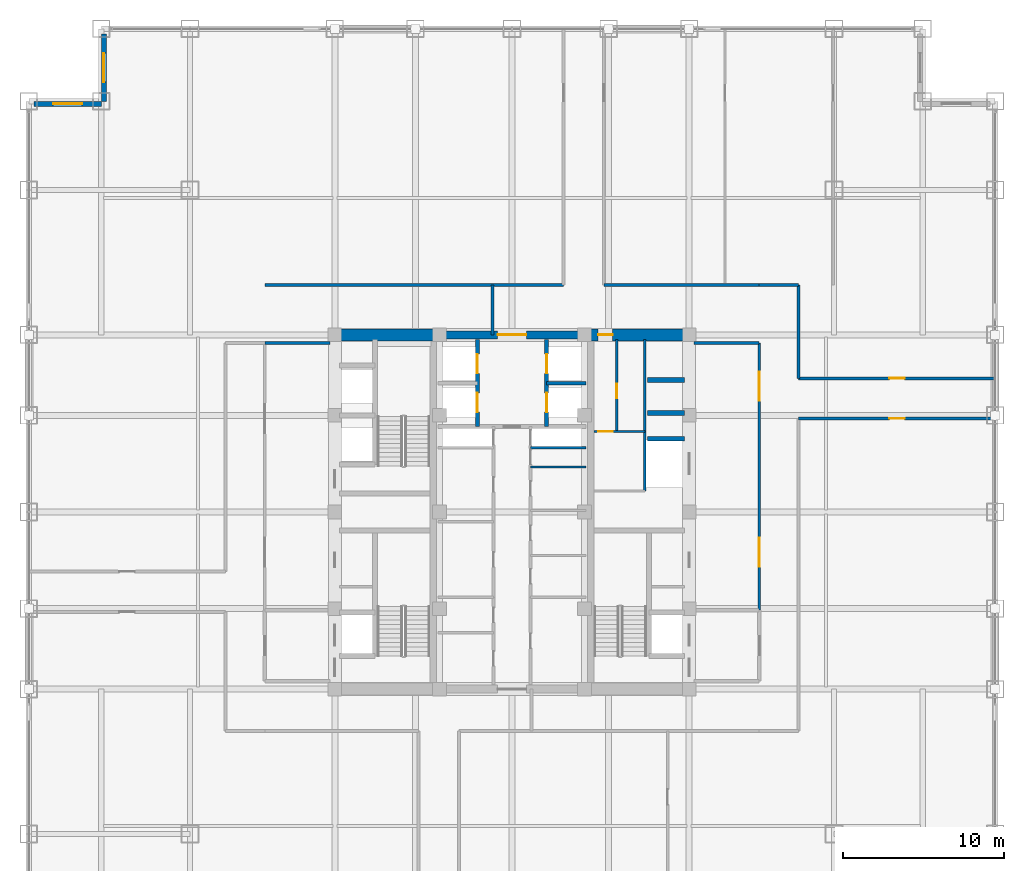
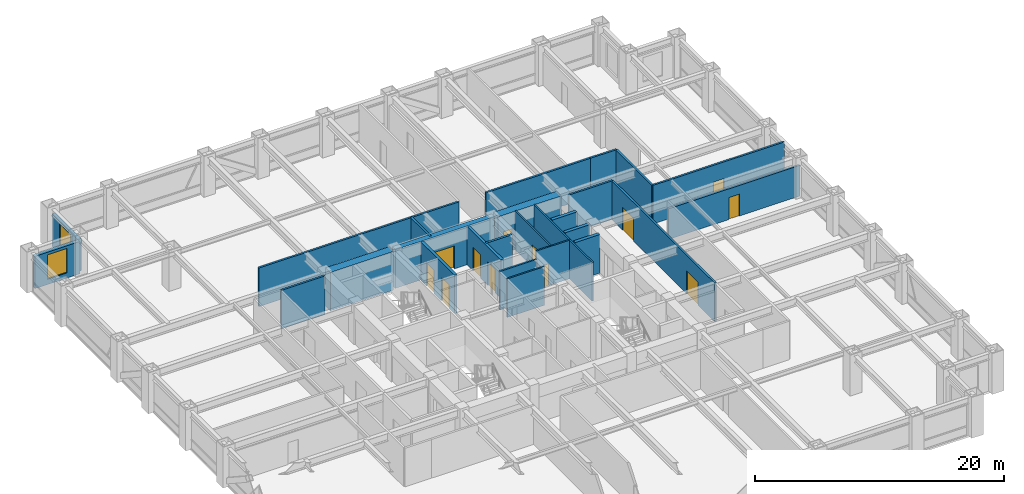
# One storey, part 22 of 24: 26 walls, 12 doors, 2 windows, 14 openings.
"""IFC4 building model written with IfcOpenShell, lengths in metres."""

from ifc_helpers import new_model, si_unit, direction, frame, frame_2d, origin, place, context, subcontext, project, spatial, rectangle, extrude, source, transform, mapped, material, layer, layer_set, type_object, element, fill, save


model = new_model("IFC4")

# Units and contexts
model_context = context("Model", 3, precision=1e-05, world=origin(), true_north=direction((0.0, 1.0)))
body_context = subcontext(model_context, "Body", "Model", "MODEL_VIEW")
ifc_project = project(units=[si_unit("LENGTHUNIT", "METRE"), si_unit("AREAUNIT", "SQUARE_METRE"), si_unit("VOLUMEUNIT", "CUBIC_METRE"), si_unit("PLANEANGLEUNIT", "RADIAN"), si_unit("MASSUNIT", "GRAM", prefix="KILO")], contexts=[model_context])

# Site, building, storey
site_placement = place(None, origin())
site = spatial("IfcSite", under=ifc_project, at=site_placement, CompositionType="ELEMENT")
building_placement = place(site_placement, origin())
building = spatial("IfcBuilding", under=site, at=building_placement, Name="Khorayat Bourse Tower", CompositionType="ELEMENT")
storey_placement = place(building_placement, frame((0.0, 0.0, 163.10009765625)))
storey = spatial("IfcBuildingStorey", under=building, at=storey_placement, Name="L37", CompositionType="ELEMENT", Elevation=163.10009765625)

# Wall
ifc_material_1 = material(Name="Concrete C72/90", Category="concrete")
ifc_layer_1 = layer(ifc_material_1, 0.75)
ifc_layer_set_1 = layer_set([ifc_layer_1], Name="Concrete C72/90")
wall_type_1 = type_object("IfcWallType", Name="WAL-CORE-750", PredefinedType="SHEAR", material=ifc_layer_set_1)
shared_shape_1 = source(origin(), body_context, "Body", "SweptSolid", [
    extrude(rectangle(XDim=5.849853515625, YDim=0.75, at=frame_2d((2.9248046875, 0.0))), origin(), (0.0, 0.0, 1.0), 3.77978515625),
])
wall_1_placement = place(storey_placement, frame((-10.699951171875, 11.0, 0.0), z_axis=(0.0, 0.0, 1.0), x_axis=(1.0, 0.0, 0.0)))
element("IfcWall", 1, at=wall_1_placement, inside=storey, type_object=wall_type_1, Name="L37 Core Shear Wall PIER-WN", PredefinedType="SHEAR", context=body_context, shape_type="MappedRepresentation", body=[
    mapped(shared_shape_1, transform((0.0, 0.0, 0.0), scale=1.0)),
])

# Wall, opening, door
wall_2_placement = place(storey_placement, frame((4.85009765625, 11.0, 0.0), z_axis=(0.0, 0.0, 1.0), x_axis=(1.0, 0.0, 0.0)))
wall_2 = element("IfcWall", 2, at=wall_2_placement, inside=storey, type_object=wall_type_1, Name="L37 Core Shear Wall PIER-EN", PredefinedType="SHEAR", context=body_context, shape_type="MappedRepresentation", body=[
    mapped(shared_shape_1, transform((0.0, 0.0, 0.0), scale=1.0)),
])
shared_shape_2 = source(origin(), body_context, "Body", "SweptSolid", [
    extrude(rectangle(XDim=0.89990234375, YDim=2.14990234375, at=frame_2d((0.449951171875, 1.074951171875))), frame((0.0, 0.385009765625, 0.0), z_axis=(0.0, -1.0, 0.0), x_axis=(1.0, 0.0, 0.0)), (0.0, 0.0, 1.0), 0.77001953125),
])
opening_1_placement = place(wall_2_placement, frame((0.5, 0.0, 0.0)))
opening_1 = element("IfcOpeningElement", 3, at=opening_1_placement, cuts=wall_2, Name="Opening DI-06", PredefinedType="OPENING", context=body_context, shape_type="MappedRepresentation", body=[
    mapped(shared_shape_2, transform((0.0, 0.0, 0.0), scale=1.0)),
])
ifc_material_2 = material(Name="Moisture-resistant laminate washroom door")
door_type_1 = type_object("IfcDoorType", Name="DR-INT-WC-900", OperationType="NOTDEFINED", PredefinedType="DOOR", material=ifc_material_2)
shared_shape_3 = source(origin(), body_context, "Body", "SweptSolid", [
    extrude(rectangle(XDim=0.89990234375, YDim=2.14990234375, at=frame_2d((0.449951171875, 1.074951171875))), frame((0.0, 0.02490234375, 0.0), z_axis=(0.0, -1.0, 0.0), x_axis=(1.0, 0.0, 0.0)), (0.0, 0.0, 1.0), 0.050048828125),
])
door_1_placement = place(opening_1_placement, origin())
door_1 = element("IfcDoor", 4, at=door_1_placement, inside=storey, type_object=door_type_1, Name="L37 Core Washroom Lobby Door", OperationType="SINGLE_SWING_LEFT", OverallHeight=2.14990234375, OverallWidth=0.89990234375, PredefinedType="DOOR", context=body_context, shape_type="MappedRepresentation", body=[
    mapped(shared_shape_3, transform((0.0, 0.0, 0.0), scale=1.0)),
])
fill(opening_1, door_1)

ifc_material_3 = material(Name="Concrete C52/65", Category="concrete")
ifc_layer_2 = layer(ifc_material_3, 0.5)
ifc_layer_set_2 = layer_set([ifc_layer_2], Name="Concrete C52/65")
wall_type_2 = type_object("IfcWallType", Name="WAL-CORE-500", PredefinedType="SHEAR", material=ifc_layer_set_2)
shared_shape_4 = source(origin(), body_context, "Body", "SweptSolid", [
    extrude(rectangle(XDim=9.2001953125, YDim=0.5, at=frame_2d((4.60009765625, 0.0))), origin(), (0.0, 0.0, 1.0), 3.77978515625),
])
wall_3_placement = place(storey_placement, frame((-4.60009765625, 11.0, 0.0), z_axis=(0.0, 0.0, 1.0), x_axis=(1.0, 0.0, 0.0)))
wall_3 = element("IfcWall", 5, at=wall_3_placement, inside=storey, type_object=wall_type_2, Name="L37 Core Shear Wall CORE-N", PredefinedType="SHEAR", context=body_context, shape_type="MappedRepresentation", body=[
    mapped(shared_shape_4, transform((0.0, 0.0, 0.0), scale=1.0)),
])
shared_shape_5 = source(origin(), body_context, "Body", "SweptSolid", [
    extrude(rectangle(XDim=1.800048828125, YDim=2.25, at=frame_2d((0.89990234375, 1.125))), frame((0.0, 0.260009765625, 0.0), z_axis=(0.0, -1.0, 0.0), x_axis=(1.0, 0.0, 0.0)), (0.0, 0.0, 1.0), 0.52001953125),
])
opening_2_placement = place(wall_3_placement, frame((3.699951171875, 0.0, 0.0)))
opening_2 = element("IfcOpeningElement", 6, at=opening_2_placement, cuts=wall_3, Name="Opening DI-03", PredefinedType="OPENING", context=body_context, shape_type="MappedRepresentation", body=[
    mapped(shared_shape_5, transform((0.0, 0.0, 0.0), scale=1.0)),
])
ifc_material_4 = material(Name="Fire-rated hardwood vision-panel double leaf", Category="wood")
door_type_2 = type_object("IfcDoorType", Name="DR-INT-CORR-1800", OperationType="NOTDEFINED", PredefinedType="DOOR", material=ifc_material_4)
shared_shape_6 = source(origin(), body_context, "Body", "SweptSolid", [
    extrude(rectangle(XDim=1.800048828125, YDim=2.25, at=frame_2d((0.89990234375, 1.125))), frame((0.0, 0.02490234375, 0.0), z_axis=(0.0, -1.0, 0.0), x_axis=(1.0, 0.0, 0.0)), (0.0, 0.0, 1.0), 0.050048828125),
])
door_2_placement = place(opening_2_placement, origin())
door_2 = element("IfcDoor", 7, at=door_2_placement, inside=storey, type_object=door_type_2, Name="L37 Mid-Rise Lift Lobby Door", OperationType="SINGLE_SWING_RIGHT", OverallHeight=2.25, OverallWidth=1.800048828125, PredefinedType="DOOR", context=body_context, shape_type="MappedRepresentation", body=[
    mapped(shared_shape_6, transform((0.0, 0.0, 0.0), scale=1.0)),
])
fill(opening_2, door_2)

# Wall, opening, window
ifc_material_5 = material(Name="Precast concrete C45/55", Category="concrete")
ifc_layer_3 = layer(ifc_material_5, 0.320068359375)
ifc_layer_set_3 = layer_set([ifc_layer_3], Name="Precast concrete C45/55")
wall_type_3 = type_object("IfcWallType", Name="WAL-EXT-STONE-320", PredefinedType="STANDARD", material=ifc_layer_set_3)
shared_shape_7 = source(origin(), body_context, "Body", "SweptSolid", [
    extrude(rectangle(XDim=4.179931640625, YDim=0.320068359375, at=frame_2d((2.08984375, 0.0))), origin(), (0.0, 0.0, 1.0), 3.163818359375),
])
wall_4_placement = place(storey_placement, frame((-25.340087890625, 25.5, 0.0), z_axis=(0.0, 0.0, 1.0), x_axis=(0.0, 1.0, 0.0)))
wall_4 = element("IfcWall", 8, at=wall_4_placement, inside=storey, type_object=wall_type_3, Name="L37 Re-Entrant Notch Limestone Wall NW-V", PredefinedType="STANDARD", context=body_context, shape_type="MappedRepresentation", body=[
    mapped(shared_shape_7, transform((0.0, 0.0, 0.0), scale=1.0)),
])
shared_shape_8 = source(origin(), body_context, "Body", "SweptSolid", [
    extrude(rectangle(XDim=1.800048828125, YDim=2.39990234375, at=frame_2d((0.89990234375, 1.199951171875))), frame((0.0, 0.169921875, 0.0), z_axis=(0.0, -1.0, 0.0), x_axis=(1.0, 0.0, 0.0)), (0.0, 0.0, 1.0), 0.340087890625),
])
opening_3_placement = place(wall_4_placement, frame((1.18994140625, 0.0, 0.5)))
opening_3 = element("IfcOpeningElement", 9, at=opening_3_placement, cuts=wall_4, Name="Opening WN-04", PredefinedType="OPENING", context=body_context, shape_type="MappedRepresentation", body=[
    mapped(shared_shape_8, transform((0.0, 0.0, 0.0), scale=1.0)),
])
ifc_material_6 = material(Name="Low-E acoustic laminated double glazing", Category="glass")
window_type = type_object("IfcWindowType", Name="WIN-NOTCH-1800x2400", PartitioningType="SINGLE_PANEL", PredefinedType="WINDOW", material=ifc_material_6)
shared_shape_9 = source(origin(), body_context, "Body", "SweptSolid", [
    extrude(rectangle(XDim=1.800048828125, YDim=2.39990234375, at=frame_2d((0.89990234375, 1.199951171875))), frame((0.0, 0.030029296875, 0.0), z_axis=(0.0, -1.0, 0.0), x_axis=(1.0, 0.0, 0.0)), (0.0, 0.0, 1.0), 0.06005859375),
])
window_1_placement = place(opening_3_placement, origin())
window_1 = element("IfcWindow", 10, at=window_1_placement, inside=storey, type_object=window_type, Name="L37 Facade Window 1", OverallHeight=2.39990234375, OverallWidth=1.800048828125, PartitioningType="SINGLE_PANEL", PredefinedType="WINDOW", context=body_context, shape_type="MappedRepresentation", body=[
    mapped(shared_shape_9, transform((0.0, 0.0, 0.0), scale=1.0)),
])
fill(opening_3, window_1)

wall_5_placement = place(storey_placement, frame((-25.5, 25.340087890625, 0.0), z_axis=(0.0, 0.0, 1.0), x_axis=(-1.0, 0.0, 0.0)))
wall_5 = element("IfcWall", 11, at=wall_5_placement, inside=storey, type_object=wall_type_3, Name="L37 Re-Entrant Notch Limestone Wall NW-H", PredefinedType="STANDARD", context=body_context, shape_type="MappedRepresentation", body=[
    mapped(shared_shape_7, transform((0.0, 0.0, 0.0), scale=1.0)),
])
opening_4_placement = place(wall_5_placement, frame((1.18994140625, 0.0, 0.5)))
opening_4 = element("IfcOpeningElement", 12, at=opening_4_placement, cuts=wall_5, Name="Opening WN-04", PredefinedType="OPENING", context=body_context, shape_type="MappedRepresentation", body=[
    mapped(shared_shape_8, transform((0.0, 0.0, 0.0), scale=1.0)),
])
window_2_placement = place(opening_4_placement, origin())
window_2 = element("IfcWindow", 13, at=window_2_placement, inside=storey, type_object=window_type, Name="L37 Facade Window 1", OverallHeight=2.39990234375, OverallWidth=1.800048828125, PartitioningType="SINGLE_PANEL", PredefinedType="WINDOW", context=body_context, shape_type="MappedRepresentation", body=[
    mapped(shared_shape_9, transform((0.0, 0.0, 0.0), scale=1.0)),
])
fill(opening_4, window_2)

# Walls
ifc_material_7 = material(Name="Concrete C50/60", Category="concrete")
ifc_layer_4 = layer(ifc_material_7, 0.300048828125)
ifc_layer_set_4 = layer_set([ifc_layer_4], Name="Concrete C50/60")
wall_type_4 = type_object("IfcWallType", Name="WAL-SHAFT-300", PredefinedType="SHEAR", material=ifc_layer_set_4)
shared_shape_10 = source(origin(), body_context, "Body", "SweptSolid", [
    extrude(rectangle(XDim=2.300048828125, YDim=0.300048828125, at=frame_2d((1.14990234375, 0.0))), origin(), (0.0, 0.0, 1.0), 3.77978515625),
])
for number, where, z_axis, x_axis, name in (
    (14, (8.39990234375, 4.550048828125, 0.0), (0.0, 0.0, 1.0), (1.0, 0.0, 0.0), "L37 Partition WAL-L37-EPIER-SVLN"),
    (15, (8.39990234375, 6.14990234375, 0.0), (0.0, 0.0, 1.0), (1.0, 0.0, 0.0), "L37 Partition WAL-L37-EPIER-H3S"),
    (16, (8.39990234375, 8.199951171875, 0.0), (0.0, 0.0, 1.0), (1.0, 0.0, 0.0), "L37 Partition WAL-L37-EPIER-H34"),
):
    element("IfcWall", number, at=place(storey_placement, frame(where, z_axis=z_axis, x_axis=x_axis)), inside=storey, type_object=wall_type_4, Name=name, PredefinedType="SHEAR", context=body_context, shape_type="MappedRepresentation", body=[
        mapped(shared_shape_10, transform((0.0, 0.0, 0.0), scale=1.0)),
    ])
ifc_material_8 = material(Name="Moisture-resistant masonry partition", Category="masonry")
ifc_layer_5 = layer(ifc_material_8, 0.139892578125)
ifc_layer_set_5 = layer_set([ifc_layer_5], Name="Moisture-resistant masonry partition")
wall_type_5 = type_object("IfcWallType", Name="WAL-PART-WET-140", PredefinedType="PARTITIONING", material=ifc_layer_set_5)
shared_shape_11 = source(origin(), body_context, "Body", "SweptSolid", [
    extrude(rectangle(XDim=9.39990234375, YDim=0.139892578125, at=frame_2d((4.699951171875, 0.0))), origin(), (0.0, 0.0, 1.0), 3.77978515625),
])
wall_6_placement = place(storey_placement, frame((8.25, 1.300048828125, 0.0), z_axis=(0.0, 0.0, 1.0), x_axis=(0.0, 1.0, 0.0)))
element("IfcWall", 17, at=wall_6_placement, inside=storey, type_object=wall_type_5, Name="L37 Partition WAL-L37-ECORE-E", PredefinedType="PARTITIONING", context=body_context, shape_type="MappedRepresentation", body=[
    mapped(shared_shape_11, transform((0.0, 0.0, 0.0), scale=1.0)),
])

# Wall, opening, door
shared_shape_12 = source(origin(), body_context, "Body", "SweptSolid", [
    extrude(rectangle(XDim=3.14990234375, YDim=0.139892578125, at=frame_2d((1.574951171875, 0.0))), origin(), (0.0, 0.0, 1.0), 3.77978515625),
])
wall_7_placement = place(storey_placement, frame((5.10009765625, 5.0, 0.0), z_axis=(0.0, 0.0, 1.0), x_axis=(1.0, 0.0, 0.0)))
wall_7 = element("IfcWall", 18, at=wall_7_placement, inside=storey, type_object=wall_type_5, Name="L37 Partition WAL-L37-ECW-BOT", PredefinedType="PARTITIONING", context=body_context, shape_type="MappedRepresentation", body=[
    mapped(shared_shape_12, transform((0.0, 0.0, 0.0), scale=1.0)),
])
shared_shape_13 = source(origin(), body_context, "Body", "SweptSolid", [
    extrude(rectangle(XDim=0.89990234375, YDim=2.14990234375, at=frame_2d((0.449951171875, 1.074951171875))), frame((0.0, 0.079833984375, 0.0), z_axis=(0.0, -1.0, 0.0), x_axis=(1.0, 0.0, 0.0)), (0.0, 0.0, 1.0), 0.159912109375),
])
opening_5_placement = place(wall_7_placement, frame((0.25, 0.0, 0.0)))
opening_5 = element("IfcOpeningElement", 19, at=opening_5_placement, cuts=wall_7, Name="Opening DI-06", PredefinedType="OPENING", context=body_context, shape_type="MappedRepresentation", body=[
    mapped(shared_shape_13, transform((0.0, 0.0, 0.0), scale=1.0)),
])
door_3_placement = place(opening_5_placement, origin())
door_3 = element("IfcDoor", 20, at=door_3_placement, inside=storey, type_object=door_type_1, Name="L37 Shared Washroom Door", OperationType="SINGLE_SWING_LEFT", OverallHeight=2.14990234375, OverallWidth=0.89990234375, PredefinedType="DOOR", context=body_context, shape_type="MappedRepresentation", body=[
    mapped(shared_shape_3, transform((0.0, 0.0, 0.0), scale=1.0)),
])
fill(opening_5, door_3)

# Walls
ifc_material_9 = material(Name="Gypsum plasterboard acoustic stud wall")
ifc_layer_6 = layer(ifc_material_9, 0.179931640625)
ifc_layer_set_6 = layer_set([ifc_layer_6], Name="Gypsum plasterboard acoustic stud wall")
wall_type_6 = type_object("IfcWallType", Name="WAL-PART-CORR-180", PredefinedType="PARTITIONING", material=ifc_layer_set_6)
shared_shape_14 = source(origin(), body_context, "Body", "SweptSolid", [
    extrude(rectangle(XDim=4.050048828125, YDim=0.179931640625, at=frame_2d((2.02490234375, 0.0))), origin(), (0.0, 0.0, 1.0), 3.77978515625),
])
for number, where, z_axis, x_axis, name in (
    (21, (-15.35009765625, 10.5, 0.0), (0.0, 0.0, 1.0), (1.0, 0.0, 0.0), "L37 Partition WAL-L37-WLOB-N"),
    (22, (11.300048828125, 10.5, 0.0), (0.0, 0.0, 1.0), (1.0, 0.0, 0.0), "L37 Partition WAL-L37-ELOB-N"),
):
    element("IfcWall", number, at=place(storey_placement, frame(where, z_axis=z_axis, x_axis=x_axis)), inside=storey, type_object=wall_type_6, Name=name, PredefinedType="PARTITIONING", context=body_context, shape_type="MappedRepresentation", body=[
        mapped(shared_shape_14, transform((0.0, 0.0, 0.0), scale=1.0)),
    ])

# Wall, openings, doors
shared_shape_15 = source(origin(), body_context, "Body", "SweptSolid", [
    extrude(rectangle(XDim=16.60009765625, YDim=0.179931640625, at=frame_2d((8.300048828125, 0.0))), origin(), (0.0, 0.0, 1.0), 3.77978515625),
])
wall_8_placement = place(storey_placement, frame((15.35009765625, -6.10009765625, 0.0), z_axis=(0.0, 0.0, 1.0), x_axis=(0.0, 1.0, 0.0)))
wall_8 = element("IfcWall", 23, at=wall_8_placement, inside=storey, type_object=wall_type_6, Name="L37 Partition WAL-L37-ELOB-E", PredefinedType="PARTITIONING", context=body_context, shape_type="MappedRepresentation", body=[
    mapped(shared_shape_15, transform((0.0, 0.0, 0.0), scale=1.0)),
])
shared_shape_16 = source(origin(), body_context, "Body", "SweptSolid", [
    extrude(rectangle(XDim=1.800048828125, YDim=2.25, at=frame_2d((0.89990234375, 1.125))), frame((0.0, 0.099853515625, 0.0), z_axis=(0.0, -1.0, 0.0), x_axis=(1.0, 0.0, 0.0)), (0.0, 0.0, 1.0), 0.199951171875),
])
opening_6_placement = place(wall_8_placement, frame((2.699951171875, 0.0, 0.0)))
opening_6 = element("IfcOpeningElement", 24, at=opening_6_placement, cuts=wall_8, Name="Opening DI-03", PredefinedType="OPENING", context=body_context, shape_type="MappedRepresentation", body=[
    mapped(shared_shape_16, transform((0.0, 0.0, 0.0), scale=1.0)),
])
opening_7_placement = place(wall_8_placement, frame((13.0, 0.0, 0.0)))
opening_7 = element("IfcOpeningElement", 25, at=opening_7_placement, cuts=wall_8, Name="Opening DI-03", PredefinedType="OPENING", context=body_context, shape_type="MappedRepresentation", body=[
    mapped(shared_shape_16, transform((0.0, 0.0, 0.0), scale=1.0)),
])
door_4_placement = place(opening_6_placement, origin())
door_4 = element("IfcDoor", 26, at=door_4_placement, inside=storey, type_object=door_type_2, Name="L37 East Core Lobby South Door", OperationType="SINGLE_SWING_RIGHT", OverallHeight=2.25, OverallWidth=1.800048828125, PredefinedType="DOOR", context=body_context, shape_type="MappedRepresentation", body=[
    mapped(shared_shape_6, transform((0.0, 0.0, 0.0), scale=1.0)),
])
fill(opening_6, door_4)
door_5_placement = place(opening_7_placement, origin())
door_5 = element("IfcDoor", 27, at=door_5_placement, inside=storey, type_object=door_type_2, Name="L37 East Core Lobby North Door", OperationType="SINGLE_SWING_LEFT", OverallHeight=2.25, OverallWidth=1.800048828125, PredefinedType="DOOR", context=body_context, shape_type="MappedRepresentation", body=[
    mapped(shared_shape_6, transform((0.0, 0.0, 0.0), scale=1.0)),
])
fill(opening_7, door_5)

# Walls
ifc_material_10 = material(Name="Gypsum plasterboard twin-frame partition")
ifc_layer_7 = layer(ifc_material_10, 0.14990234375)
ifc_layer_set_7 = layer_set([ifc_layer_7], Name="Gypsum plasterboard twin-frame partition")
wall_type_7 = type_object("IfcWallType", Name="WAL-PART-SUITE-150", PredefinedType="PARTITIONING", material=ifc_layer_set_7)
shared_shape_17 = source(origin(), body_context, "Body", "SweptSolid", [
    extrude(rectangle(XDim=3.4501953125, YDim=0.14990234375, at=frame_2d((1.72509765625, 0.0))), origin(), (0.0, 0.0, 1.0), 3.77978515625),
])
wall_9_placement = place(storey_placement, frame((1.14990234375, 4.0, 0.0), z_axis=(0.0, 0.0, 1.0), x_axis=(1.0, 0.0, 0.0)))
element("IfcWall", 28, at=wall_9_placement, inside=storey, type_object=wall_type_7, Name="L37 Partition WAL-L37-CRSE-S", PredefinedType="PARTITIONING", context=body_context, shape_type="MappedRepresentation", body=[
    mapped(shared_shape_17, transform((0.0, 0.0, 0.0), scale=1.0)),
])
shared_shape_18 = source(origin(), body_context, "Body", "SweptSolid", [
    extrude(rectangle(XDim=3.4501953125, YDim=0.139892578125, at=frame_2d((1.72509765625, 0.0))), origin(), (0.0, 0.0, 1.0), 3.77978515625),
])
wall_10_placement = place(storey_placement, frame((1.14990234375, 2.800048828125, 0.0), z_axis=(0.0, 0.0, 1.0), x_axis=(1.0, 0.0, 0.0)))
element("IfcWall", 29, at=wall_10_placement, inside=storey, type_object=wall_type_5, Name="L37 Partition WAL-L37-CME-D3", PredefinedType="PARTITIONING", context=body_context, shape_type="MappedRepresentation", body=[
    mapped(shared_shape_18, transform((0.0, 0.0, 0.0), scale=1.0)),
])

# Wall, openings, doors
shared_shape_19 = source(origin(), body_context, "Body", "SweptSolid", [
    extrude(rectangle(XDim=5.39990234375, YDim=0.25, at=frame_2d((2.699951171875, 0.0))), origin(), (0.0, 0.0, 1.0), 3.77978515625),
])
wall_11_placement = place(storey_placement, frame((-2.14990234375, 5.300048828125, 0.0), z_axis=(0.0, 0.0, 1.0), x_axis=(0.0, 1.0, 0.0)))
wall_11 = element("IfcWall", 30, at=wall_11_placement, inside=storey, type_object=wall_type_4, Name="L37 Partition WAL-L37-B2-W", PredefinedType="SHEAR", context=body_context, shape_type="MappedRepresentation", body=[
    mapped(shared_shape_19, transform((0.0, 0.0, 0.0), scale=1.0)),
])
shared_shape_20 = source(origin(), body_context, "Body", "SweptSolid", [
    extrude(rectangle(XDim=1.199951171875, YDim=2.300048828125, at=frame_2d((0.60009765625, 1.14990234375))), frame((0.0, 0.135009765625, 0.0), z_axis=(0.0, -1.0, 0.0), x_axis=(1.0, 0.0, 0.0)), (0.0, 0.0, 1.0), 0.27001953125),
])
opening_8_placement = place(wall_11_placement, frame((3.300048828125, 0.0, 0.0)))
opening_8 = element("IfcOpeningElement", 31, at=opening_8_placement, cuts=wall_11, Name="Opening LD-01", PredefinedType="OPENING", context=body_context, shape_type="MappedRepresentation", body=[
    mapped(shared_shape_20, transform((0.0, 0.0, 0.0), scale=1.0)),
])
opening_9_placement = place(wall_11_placement, frame((0.89990234375, 0.0, 0.0)))
opening_9 = element("IfcOpeningElement", 32, at=opening_9_placement, cuts=wall_11, Name="Opening LD-01", PredefinedType="OPENING", context=body_context, shape_type="MappedRepresentation", body=[
    mapped(shared_shape_20, transform((0.0, 0.0, 0.0), scale=1.0)),
])
ifc_material_11 = material(Name="Brushed bronze stainless-steel sliding door", Category="steel")
door_type_3 = type_object("IfcDoorType", Name="DR-LIFT-PASS-1200", OperationType="NOTDEFINED", PredefinedType="DOOR", material=ifc_material_11)
shared_shape_21 = source(origin(), body_context, "Body", "SweptSolid", [
    extrude(rectangle(XDim=1.199951171875, YDim=2.300048828125, at=frame_2d((0.60009765625, 1.14990234375))), frame((0.0, 0.02490234375, 0.0), z_axis=(0.0, -1.0, 0.0), x_axis=(1.0, 0.0, 0.0)), (0.0, 0.0, 1.0), 0.050048828125),
])
door_6_placement = place(opening_8_placement, origin())
door_6 = element("IfcDoor", 33, at=door_6_placement, inside=storey, type_object=door_type_3, Name="L37 Lift PL-M1 Sliding Landing Door", OperationType="SLIDING_TO_LEFT", OverallHeight=2.300048828125, OverallWidth=1.199951171875, PredefinedType="DOOR", context=body_context, shape_type="MappedRepresentation", body=[
    mapped(shared_shape_21, transform((0.0, 0.0, 0.0), scale=1.0)),
])
fill(opening_8, door_6)
door_7_placement = place(opening_9_placement, origin())
door_7 = element("IfcDoor", 34, at=door_7_placement, inside=storey, type_object=door_type_3, Name="L37 Lift PL-M3 Sliding Landing Door", OperationType="SLIDING_TO_LEFT", OverallHeight=2.300048828125, OverallWidth=1.199951171875, PredefinedType="DOOR", context=body_context, shape_type="MappedRepresentation", body=[
    mapped(shared_shape_21, transform((0.0, 0.0, 0.0), scale=1.0)),
])
fill(opening_9, door_7)

wall_12_placement = place(storey_placement, frame((2.14990234375, 5.300048828125, 0.0), z_axis=(0.0, 0.0, 1.0), x_axis=(0.0, 1.0, 0.0)))
wall_12 = element("IfcWall", 35, at=wall_12_placement, inside=storey, type_object=wall_type_4, Name="L37 Partition WAL-L37-B2-E", PredefinedType="SHEAR", context=body_context, shape_type="MappedRepresentation", body=[
    mapped(shared_shape_19, transform((0.0, 0.0, 0.0), scale=1.0)),
])
opening_10_placement = place(wall_12_placement, frame((3.300048828125, 0.0, 0.0)))
opening_10 = element("IfcOpeningElement", 36, at=opening_10_placement, cuts=wall_12, Name="Opening LD-01", PredefinedType="OPENING", context=body_context, shape_type="MappedRepresentation", body=[
    mapped(shared_shape_20, transform((0.0, 0.0, 0.0), scale=1.0)),
])
opening_11_placement = place(wall_12_placement, frame((0.89990234375, 0.0, 0.0)))
opening_11 = element("IfcOpeningElement", 37, at=opening_11_placement, cuts=wall_12, Name="Opening LD-01", PredefinedType="OPENING", context=body_context, shape_type="MappedRepresentation", body=[
    mapped(shared_shape_20, transform((0.0, 0.0, 0.0), scale=1.0)),
])
door_8_placement = place(opening_10_placement, origin())
door_8 = element("IfcDoor", 38, at=door_8_placement, inside=storey, type_object=door_type_3, Name="L37 Lift PL-M2 Sliding Landing Door", OperationType="SLIDING_TO_LEFT", OverallHeight=2.300048828125, OverallWidth=1.199951171875, PredefinedType="DOOR", context=body_context, shape_type="MappedRepresentation", body=[
    mapped(shared_shape_21, transform((0.0, 0.0, 0.0), scale=1.0)),
])
fill(opening_10, door_8)
door_9_placement = place(opening_11_placement, origin())
door_9 = element("IfcDoor", 39, at=door_9_placement, inside=storey, type_object=door_type_3, Name="L37 Lift PL-M4 Sliding Landing Door", OperationType="SLIDING_TO_LEFT", OverallHeight=2.300048828125, OverallWidth=1.199951171875, PredefinedType="DOOR", context=body_context, shape_type="MappedRepresentation", body=[
    mapped(shared_shape_21, transform((0.0, 0.0, 0.0), scale=1.0)),
])
fill(opening_11, door_9)

# Walls
shared_shape_22 = source(origin(), body_context, "Body", "SweptSolid", [
    extrude(rectangle(XDim=2.4501953125, YDim=0.199951171875, at=frame_2d((1.22509765625, 0.0))), origin(), (0.0, 0.0, 1.0), 3.77978515625),
])
wall_13_placement = place(storey_placement, frame((2.14990234375, 8.0, 0.0), z_axis=(0.0, 0.0, 1.0), x_axis=(1.0, 0.0, 0.0)))
element("IfcWall", 40, at=wall_13_placement, inside=storey, type_object=wall_type_4, Name="L37 Partition WAL-L37-B2-ME", PredefinedType="SHEAR", context=body_context, shape_type="MappedRepresentation", body=[
    mapped(shared_shape_22, transform((0.0, 0.0, 0.0), scale=1.0)),
])
shared_shape_23 = source(origin(), body_context, "Body", "SweptSolid", [
    extrude(rectangle(XDim=2.449951171875, YDim=0.179931640625, at=frame_2d((1.22509765625, 0.0))), origin(), (0.0, 0.0, 1.0), 3.77978515625),
])
wall_14_placement = place(storey_placement, frame((15.35009765625, 14.10009765625, 0.0), z_axis=(0.0, 0.0, 1.0), x_axis=(1.0, 0.0, 0.0)))
element("IfcWall", 41, at=wall_14_placement, inside=storey, type_object=wall_type_6, Name="L37 Partition WAL-L37-C2-EN", PredefinedType="PARTITIONING", context=body_context, shape_type="MappedRepresentation", body=[
    mapped(shared_shape_23, transform((0.0, 0.0, 0.0), scale=1.0)),
])

# Wall, opening, door
shared_shape_24 = source(origin(), body_context, "Body", "SweptSolid", [
    extrude(rectangle(XDim=12.199951171875, YDim=0.179931640625, at=frame_2d((6.10009765625, 0.0))), origin(), (0.0, 0.0, 1.0), 3.77978515625),
])
wall_15_placement = place(storey_placement, frame((17.800048828125, 8.300048828125, 0.0), z_axis=(0.0, 0.0, 1.0), x_axis=(1.0, 0.0, 0.0)))
wall_15 = element("IfcWall", 42, at=wall_15_placement, inside=storey, type_object=wall_type_6, Name="L37 Partition WAL-L37-EN-SPK", PredefinedType="PARTITIONING", context=body_context, shape_type="MappedRepresentation", body=[
    mapped(shared_shape_24, transform((0.0, 0.0, 0.0), scale=1.0)),
])
shared_shape_25 = source(origin(), body_context, "Body", "SweptSolid", [
    extrude(rectangle(XDim=0.949951171875, YDim=2.14990234375, at=frame_2d((0.47509765625, 1.074951171875))), frame((0.0, 0.099853515625, 0.0), z_axis=(0.0, -1.0, 0.0), x_axis=(1.0, 0.0, 0.0)), (0.0, 0.0, 1.0), 0.199951171875),
])
opening_12_placement = place(wall_15_placement, frame((5.625, 0.0, 0.0)))
opening_12 = element("IfcOpeningElement", 43, at=opening_12_placement, cuts=wall_15, Name="Opening DI-05", PredefinedType="OPENING", context=body_context, shape_type="MappedRepresentation", body=[
    mapped(shared_shape_25, transform((0.0, 0.0, 0.0), scale=1.0)),
])
ifc_material_12 = material(Name="Acoustic oak veneer office door")
door_type_4 = type_object("IfcDoorType", Name="DR-INT-OFFICE-950", OperationType="NOTDEFINED", PredefinedType="DOOR", material=ifc_material_12)
shared_shape_26 = source(origin(), body_context, "Body", "SweptSolid", [
    extrude(rectangle(XDim=0.949951171875, YDim=2.14990234375, at=frame_2d((0.47509765625, 1.074951171875))), frame((0.0, 0.02490234375, 0.0), z_axis=(0.0, -1.0, 0.0), x_axis=(1.0, 0.0, 0.0)), (0.0, 0.0, 1.0), 0.050048828125),
])
door_10_placement = place(opening_12_placement, origin())
door_10 = element("IfcDoor", 44, at=door_10_placement, inside=storey, type_object=door_type_4, Name="L37 Clearing Operations Office EN Door", OperationType="SINGLE_SWING_LEFT", OverallHeight=2.14990234375, OverallWidth=0.949951171875, PredefinedType="DOOR", context=body_context, shape_type="MappedRepresentation", body=[
    mapped(shared_shape_26, transform((0.0, 0.0, 0.0), scale=1.0)),
])
fill(opening_12, door_10)

shared_shape_27 = source(origin(), body_context, "Body", "SweptSolid", [
    extrude(rectangle(XDim=12.199951171875, YDim=0.179931640625, at=frame_2d((6.10009765625, 0.0))), origin(), (0.0, 0.0, 1.0), 3.0068359375),
])
wall_16_placement = place(storey_placement, frame((17.800048828125, 5.800048828125, 0.0), z_axis=(0.0, 0.0, 1.0), x_axis=(1.0, 0.0, 0.0)))
wall_16 = element("IfcWall", 45, at=wall_16_placement, inside=storey, type_object=wall_type_6, Name="L37 Partition WAL-L37-ES-SPK", PredefinedType="PARTITIONING", context=body_context, shape_type="MappedRepresentation", body=[
    mapped(shared_shape_27, transform((0.0, 0.0, 0.0), scale=1.0)),
])
opening_13_placement = place(wall_16_placement, frame((5.625, 0.0, 0.0)))
opening_13 = element("IfcOpeningElement", 46, at=opening_13_placement, cuts=wall_16, Name="Opening DI-05", PredefinedType="OPENING", context=body_context, shape_type="MappedRepresentation", body=[
    mapped(shared_shape_25, transform((0.0, 0.0, 0.0), scale=1.0)),
])
door_11_placement = place(opening_13_placement, origin())
door_11 = element("IfcDoor", 47, at=door_11_placement, inside=storey, type_object=door_type_4, Name="L37 Equities Trading Desk ES Door", OperationType="SINGLE_SWING_LEFT", OverallHeight=2.14990234375, OverallWidth=0.949951171875, PredefinedType="DOOR", context=body_context, shape_type="MappedRepresentation", body=[
    mapped(shared_shape_26, transform((0.0, 0.0, 0.0), scale=1.0)),
])
fill(opening_13, door_11)

shared_shape_28 = source(origin(), body_context, "Body", "SweptSolid", [
    extrude(rectangle(XDim=5.699951171875, YDim=0.139892578125, at=frame_2d((2.85009765625, 0.0))), origin(), (0.0, 0.0, 1.0), 3.77978515625),
])
wall_17_placement = place(storey_placement, frame((6.5, 5.0, 0.0), z_axis=(0.0, 0.0, 1.0), x_axis=(0.0, 1.0, 0.0)))
wall_17 = element("IfcWall", 48, at=wall_17_placement, inside=storey, type_object=wall_type_5, Name="L37 Partition WAL-L37-ECW-MID", PredefinedType="PARTITIONING", context=body_context, shape_type="MappedRepresentation", body=[
    mapped(shared_shape_28, transform((0.0, 0.0, 0.0), scale=1.0)),
])
opening_14_placement = place(wall_17_placement, frame((2.050048828125, 0.0, 0.0)))
opening_14 = element("IfcOpeningElement", 49, at=opening_14_placement, cuts=wall_17, Name="Opening DI-06", PredefinedType="OPENING", context=body_context, shape_type="MappedRepresentation", body=[
    mapped(shared_shape_13, transform((0.0, 0.0, 0.0), scale=1.0)),
])
door_12_placement = place(opening_14_placement, origin())
door_12 = element("IfcDoor", 50, at=door_12_placement, inside=storey, type_object=door_type_1, Name="L37 Accessible WC Door", OperationType="SINGLE_SWING_RIGHT", OverallHeight=2.14990234375, OverallWidth=0.89990234375, PredefinedType="DOOR", context=body_context, shape_type="MappedRepresentation", body=[
    mapped(shared_shape_3, transform((0.0, 0.0, 0.0), scale=1.0)),
])
fill(opening_14, door_12)

# Walls
shared_shape_29 = source(origin(), body_context, "Body", "SweptSolid", [
    extrude(rectangle(XDim=3.10009765625, YDim=0.179931640625, at=frame_2d((1.550048828125, 0.0))), origin(), (0.0, 0.0, 1.0), 3.77978515625),
])
wall_18_placement = place(storey_placement, frame((-1.199951171875, 11.0, 0.0), z_axis=(0.0, 0.0, 1.0), x_axis=(0.0, 1.0, 0.0)))
element("IfcWall", 51, at=wall_18_placement, inside=storey, type_object=wall_type_6, Name="L37 Partition WAL-L37-C2-NCW", PredefinedType="PARTITIONING", context=body_context, shape_type="MappedRepresentation", body=[
    mapped(shared_shape_29, transform((0.0, 0.0, 0.0), scale=1.0)),
])
shared_shape_30 = source(origin(), body_context, "Body", "SweptSolid", [
    extrude(rectangle(XDim=18.550048828125, YDim=0.179931640625, at=frame_2d((9.27490234375, 0.0))), origin(), (0.0, 0.0, 1.0), 3.77978515625),
])
wall_19_placement = place(storey_placement, frame((-15.35009765625, 14.10009765625, 0.0), z_axis=(0.0, 0.0, 1.0), x_axis=(1.0, 0.0, 0.0)))
element("IfcWall", 52, at=wall_19_placement, inside=storey, type_object=wall_type_6, Name="L37 Partition WAL-L37-QNW-HC", PredefinedType="PARTITIONING", context=body_context, shape_type="MappedRepresentation", body=[
    mapped(shared_shape_30, transform((0.0, 0.0, 0.0), scale=1.0)),
])
shared_shape_31 = source(origin(), body_context, "Body", "SweptSolid", [
    extrude(rectangle(XDim=9.650146484375, YDim=0.179931640625, at=frame_2d((4.8251953125, 0.0))), origin(), (0.0, 0.0, 1.0), 3.77978515625),
])
wall_20_placement = place(storey_placement, frame((5.699951171875, 14.10009765625, 0.0), z_axis=(0.0, 0.0, 1.0), x_axis=(1.0, 0.0, 0.0)))
element("IfcWall", 53, at=wall_20_placement, inside=storey, type_object=wall_type_6, Name="L37 Partition WAL-L37-QNE-HC", PredefinedType="PARTITIONING", context=body_context, shape_type="MappedRepresentation", body=[
    mapped(shared_shape_31, transform((0.0, 0.0, 0.0), scale=1.0)),
])
shared_shape_32 = source(origin(), body_context, "Body", "SweptSolid", [
    extrude(rectangle(XDim=5.800048828125, YDim=0.179931640625, at=frame_2d((2.89990234375, 0.0))), origin(), (0.0, 0.0, 1.0), 3.77978515625),
])
wall_21_placement = place(storey_placement, frame((17.800048828125, 8.300048828125, 0.0), z_axis=(0.0, 0.0, 1.0), x_axis=(0.0, 1.0, 0.0)))
element("IfcWall", 54, at=wall_21_placement, inside=storey, type_object=wall_type_6, Name="L37 Partition WAL-L37-EN-IN", PredefinedType="PARTITIONING", context=body_context, shape_type="MappedRepresentation", body=[
    mapped(shared_shape_32, transform((0.0, 0.0, 0.0), scale=1.0)),
])

save(model, "model.ifc")
